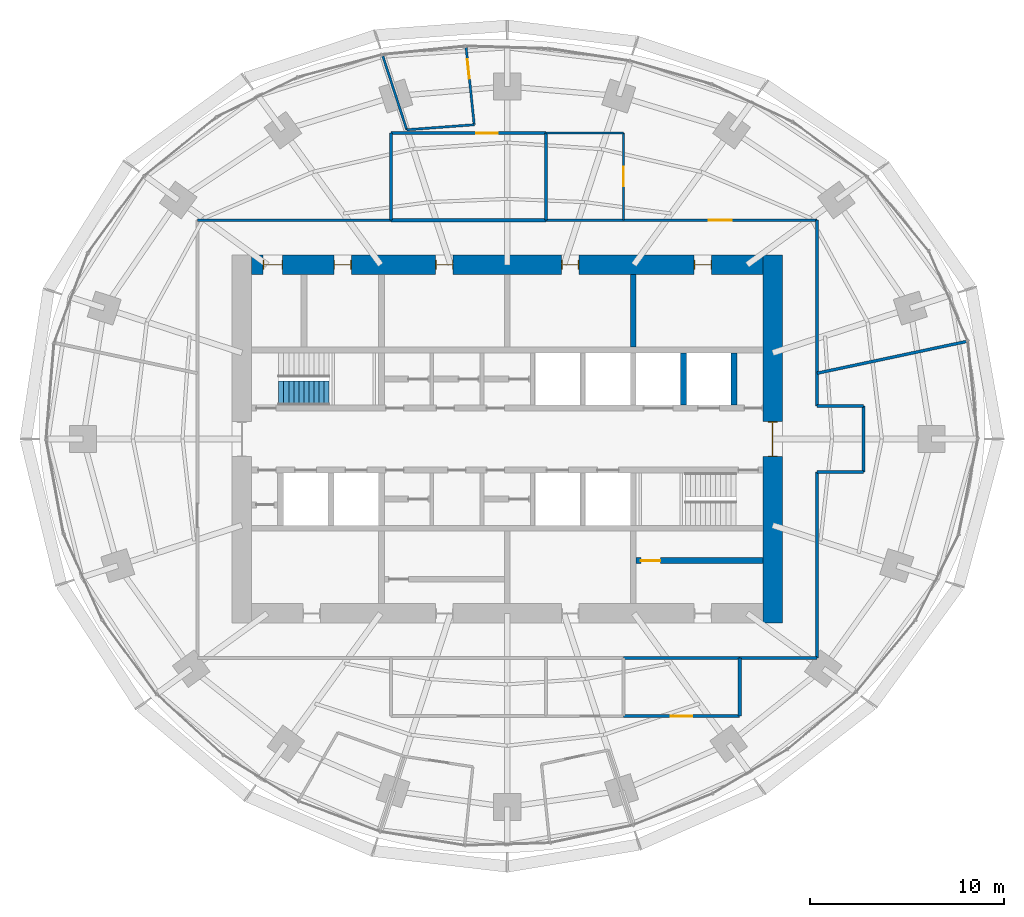
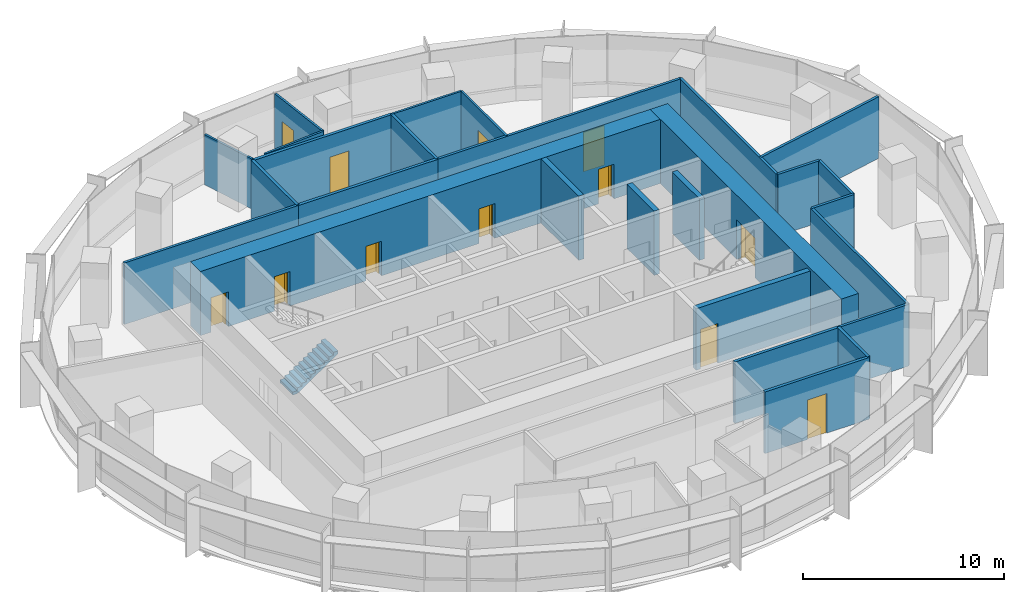
# One storey, part 12 of 15: 27 walls, 12 doors, 1 stair flight, 12 openings, 1 element without a shape of its own.
"""IFC4 building model written with IfcOpenShell, lengths in metres."""

from ifc_helpers import new_model, si_unit, direction, frame, frame_2d, origin, place, context, subcontext, project, spatial, polyline, rectangle, outline, extrude, material, layer, layer_set, type_object, element, fill, aggregate, save


model = new_model("IFC4")

# Units and contexts
model_context = context("Model", 3, precision=1e-05, world=origin(), true_north=direction((0.0, 1.0)))
body_context = subcontext(model_context, "Body", "Model", "MODEL_VIEW")
ifc_project = project(units=[si_unit("LENGTHUNIT", "METRE"), si_unit("AREAUNIT", "SQUARE_METRE"), si_unit("VOLUMEUNIT", "CUBIC_METRE"), si_unit("PLANEANGLEUNIT", "RADIAN"), si_unit("MASSUNIT", "GRAM", prefix="KILO")], contexts=[model_context])

# Site, building, storey
site_placement = place(None, origin())
site = spatial("IfcSite", under=ifc_project, at=site_placement, CompositionType="ELEMENT")
building_placement = place(site_placement, origin())
building = spatial("IfcBuilding", under=site, at=building_placement, Name="Marramba Exchange Tower", CompositionType="ELEMENT")
storey_placement = place(building_placement, frame((0.0, 0.0, 226.699951171875)))
storey = spatial("IfcBuildingStorey", under=building, at=storey_placement, Name="L55", CompositionType="ELEMENT", Elevation=226.699951171875)

# Wall, opening, door
ifc_material_1 = material(Name="Plasterboard on staggered double steel studs, acoustic insulation", Category="steel")
ifc_layer_1 = layer(ifc_material_1, 0.169921875)
ifc_layer_set_1 = layer_set([ifc_layer_1], Name="Acoustic partition 170")
wall_type_1 = type_object("IfcWallType", Name="Acoustic partition 170", PredefinedType="PARTITIONING", material=ifc_layer_set_1)
wall_1_placement = place(storey_placement, frame((6.0, -14.300048828125, 0.0), z_axis=(0.0, 0.0, 1.0), x_axis=(1.0, 0.0, 0.0)))
wall_1 = element("IfcWall", 1, at=wall_1_placement, inside=storey, type_object=wall_type_1, Name="Acoustic partition L55 17", PredefinedType="PARTITIONING", context=body_context, shape_type="SweptSolid", body=[
    extrude(rectangle(XDim=6.0, YDim=0.169921875, at=frame_2d((3.0, 0.0))), origin(), (0.0, 0.0, 1.0), 3.739990234375),
])
opening_1_placement = place(wall_1_placement, frame((2.449951171875, 0.0, 0.0)))
opening_1 = element("IfcOpeningElement", 2, at=opening_1_placement, cuts=wall_1, Name="Opening D15", PredefinedType="OPENING", context=body_context, shape_type="SweptSolid", body=[
    extrude(rectangle(XDim=1.10009765625, YDim=2.39990234375, at=frame_2d((0.550048828125, 1.199951171875))), frame((0.0, 0.094970703125, 0.0), z_axis=(0.0, -1.0, 0.0), x_axis=(1.0, 0.0, 0.0)), (0.0, 0.0, 1.0), 0.18994140625),
])
ifc_material_2 = material(Name="Timber door", Category="wood")
door_type_1 = type_object("IfcDoorType", Name="Glazed meeting room door 1100x2400", OperationType="SINGLE_SWING_LEFT", PredefinedType="DOOR", material=ifc_material_2)
door_1_placement = place(opening_1_placement, origin())
door_1 = element("IfcDoor", 3, at=door_1_placement, inside=storey, type_object=door_type_1, Name="D15 Meeting Room 3 L55", OperationType="SINGLE_SWING_RIGHT", OverallHeight=2.39990234375, OverallWidth=1.10009765625, PredefinedType="DOOR", context=body_context, shape_type="SweptSolid", body=[
    extrude(rectangle(XDim=1.10009765625, YDim=2.39990234375, at=frame_2d((0.550048828125, 1.199951171875))), frame((0.0, 0.02490234375, 0.0), z_axis=(0.0, -1.0, 0.0), x_axis=(1.0, 0.0, 0.0)), (0.0, 0.0, 1.0), 0.050048828125),
])
fill(opening_1, door_1)

# Walls
wall_2_placement = place(storey_placement, frame((12.0, -11.300048828125, 0.0), z_axis=(0.0, 0.0, 1.0), x_axis=(-1.0, 0.0, 0.0)))
element("IfcWall", 4, at=wall_2_placement, inside=storey, type_object=wall_type_1, Name="Acoustic partition L55 18", PredefinedType="PARTITIONING", context=body_context, shape_type="SweptSolid", body=[
    extrude(rectangle(XDim=6.0, YDim=0.169921875, at=frame_2d((3.0, 0.0))), origin(), (0.0, 0.0, 1.0), 3.739990234375),
])
wall_3_placement = place(storey_placement, frame((12.0, -14.300048828125, 0.0), z_axis=(0.0, 0.0, 1.0), x_axis=(0.0, 1.0, 0.0)))
element("IfcWall", 5, at=wall_3_placement, inside=storey, type_object=wall_type_1, Name="Acoustic partition L55 19", PredefinedType="PARTITIONING", context=body_context, shape_type="SweptSolid", body=[
    extrude(rectangle(XDim=3.0, YDim=0.169921875, at=frame_2d((1.5, 0.0))), origin(), (0.0, 0.0, 1.0), 3.739990234375),
])
wall_4_placement = place(storey_placement, frame((2.0, 15.800048828125, 0.0), z_axis=(0.0, 0.0, 1.0), x_axis=(0.0, -1.0, 0.0)))
element("IfcWall", 6, at=wall_4_placement, inside=storey, type_object=wall_type_1, Name="Acoustic partition L55 30", PredefinedType="PARTITIONING", context=body_context, shape_type="SweptSolid", body=[
    extrude(rectangle(XDim=4.5, YDim=0.169921875, at=frame_2d((2.25, 0.0))), origin(), (0.0, 0.0, 1.0), 3.739990234375),
])

# Wall, opening, door
wall_5_placement = place(storey_placement, frame((2.0, 15.800048828125, 0.0), z_axis=(0.0, 0.0, 1.0), x_axis=(-1.0, 0.0, 0.0)))
wall_5 = element("IfcWall", 7, at=wall_5_placement, inside=storey, type_object=wall_type_1, Name="Acoustic partition L55 32", PredefinedType="PARTITIONING", context=body_context, shape_type="SweptSolid", body=[
    extrude(rectangle(XDim=8.0, YDim=0.169921875, at=frame_2d((4.0, 0.0))), origin(), (0.0, 0.0, 1.0), 3.739990234375),
])
opening_2_placement = place(wall_5_placement, frame((2.5, 0.0, 0.0)))
opening_2 = element("IfcOpeningElement", 8, at=opening_2_placement, cuts=wall_5, Name="Opening D15", PredefinedType="OPENING", context=body_context, shape_type="SweptSolid", body=[
    extrude(rectangle(XDim=1.10009765625, YDim=2.39990234375, at=frame_2d((0.550048828125, 1.199951171875))), frame((0.0, 0.094970703125, 0.0), z_axis=(0.0, -1.0, 0.0), x_axis=(1.0, 0.0, 0.0)), (0.0, 0.0, 1.0), 0.18994140625),
])
door_2_placement = place(opening_2_placement, origin())
door_2 = element("IfcDoor", 9, at=door_2_placement, inside=storey, type_object=door_type_1, Name="D15 Meeting Room 1 L55", OperationType="SINGLE_SWING_LEFT", OverallHeight=2.39990234375, OverallWidth=1.10009765625, PredefinedType="DOOR", context=body_context, shape_type="SweptSolid", body=[
    extrude(rectangle(XDim=1.10009765625, YDim=2.39990234375, at=frame_2d((0.550048828125, 1.199951171875))), frame((0.0, 0.02490234375, 0.0), z_axis=(0.0, -1.0, 0.0), x_axis=(1.0, 0.0, 0.0)), (0.0, 0.0, 1.0), 0.050048828125),
])
fill(opening_2, door_2)

# Walls
wall_6_placement = place(storey_placement, frame((-6.0, 11.300048828125, 0.0), z_axis=(0.0, 0.0, 1.0), x_axis=(1.0, 0.0, 0.0)))
element("IfcWall", 10, at=wall_6_placement, inside=storey, type_object=wall_type_1, Name="Acoustic partition L55 33", PredefinedType="PARTITIONING", context=body_context, shape_type="SweptSolid", body=[
    extrude(rectangle(XDim=8.0, YDim=0.169921875, at=frame_2d((4.0, 0.0))), origin(), (0.0, 0.0, 1.0), 3.739990234375),
])
wall_7_placement = place(storey_placement, frame((-6.0, 15.800048828125, 0.0), z_axis=(0.0, 0.0, 1.0), x_axis=(0.0, -1.0, 0.0)))
element("IfcWall", 11, at=wall_7_placement, inside=storey, type_object=wall_type_1, Name="Acoustic partition L55 36", PredefinedType="PARTITIONING", context=body_context, shape_type="SweptSolid", body=[
    extrude(rectangle(XDim=4.5, YDim=0.169921875, at=frame_2d((2.25, 0.0))), origin(), (0.0, 0.0, 1.0), 3.739990234375),
])

# Wall, openings, doors
ifc_material_3 = material(Name="Concrete N50", Category="concrete")
ifc_layer_2 = layer(ifc_material_3, 1.0)
ifc_layer_set_2 = layer_set([ifc_layer_2], Name="Core wall 1000")
wall_type_2 = type_object("IfcWallType", Name="Core wall 1000", PredefinedType="SHEAR", material=ifc_layer_set_2)
wall_8_placement = place(storey_placement, frame((13.199951171875, 9.0, 0.0), z_axis=(0.0, 0.0, 1.0), x_axis=(-1.0, 0.0, 0.0)))
wall_8 = element("IfcWall", 12, at=wall_8_placement, inside=storey, type_object=wall_type_2, Name="Core wall N L55", PredefinedType="SHEAR", context=body_context, shape_type="SweptSolid", body=[
    extrude(rectangle(XDim=26.39990234375, YDim=1.0, at=frame_2d((13.199951171875, 0.0))), origin(), (0.0, 0.0, 1.0), 3.900146484375),
])
opening_3_placement = place(wall_8_placement, frame((2.64990234375, 0.0, 0.0)))
opening_3 = element("IfcOpeningElement", 13, at=opening_3_placement, cuts=wall_8, Name="Opening D5", PredefinedType="OPENING", context=body_context, shape_type="SweptSolid", body=[
    extrude(rectangle(XDim=0.89990234375, YDim=2.10009765625, at=frame_2d((0.449951171875, 1.050048828125))), frame((0.0, 0.510009765625, 0.0), z_axis=(0.0, -1.0, 0.0), x_axis=(1.0, 0.0, 0.0)), (0.0, 0.0, 1.0), 1.02001953125),
])
opening_4_placement = place(wall_8_placement, frame((9.5, 0.0, 0.0)))
opening_4 = element("IfcOpeningElement", 14, at=opening_4_placement, cuts=wall_8, Name="Opening D3", PredefinedType="OPENING", context=body_context, shape_type="SweptSolid", body=[
    extrude(rectangle(XDim=0.89990234375, YDim=2.10009765625, at=frame_2d((0.449951171875, 1.050048828125))), frame((0.0, 0.510009765625, 0.0), z_axis=(0.0, -1.0, 0.0), x_axis=(1.0, 0.0, 0.0)), (0.0, 0.0, 1.0), 1.02001953125),
])
opening_5_placement = place(wall_8_placement, frame((16.0, 0.0, 0.0)))
opening_5 = element("IfcOpeningElement", 15, at=opening_5_placement, cuts=wall_8, Name="Opening D3", PredefinedType="OPENING", context=body_context, shape_type="SweptSolid", body=[
    extrude(rectangle(XDim=0.89990234375, YDim=2.10009765625, at=frame_2d((0.449951171875, 1.050048828125))), frame((0.0, 0.510009765625, 0.0), z_axis=(0.0, -1.0, 0.0), x_axis=(1.0, 0.0, 0.0)), (0.0, 0.0, 1.0), 1.02001953125),
])
opening_6_placement = place(wall_8_placement, frame((21.25, 0.0, 0.0)))
opening_6 = element("IfcOpeningElement", 16, at=opening_6_placement, cuts=wall_8, Name="Opening D5", PredefinedType="OPENING", context=body_context, shape_type="SweptSolid", body=[
    extrude(rectangle(XDim=0.89990234375, YDim=2.10009765625, at=frame_2d((0.449951171875, 1.050048828125))), frame((0.0, 0.510009765625, 0.0), z_axis=(0.0, -1.0, 0.0), x_axis=(1.0, 0.0, 0.0)), (0.0, 0.0, 1.0), 1.02001953125),
])
opening_7_placement = place(wall_8_placement, frame((24.800048828125, 0.0, 0.0)))
opening_7 = element("IfcOpeningElement", 17, at=opening_7_placement, cuts=wall_8, Name="Opening D4", PredefinedType="OPENING", context=body_context, shape_type="SweptSolid", body=[
    extrude(rectangle(XDim=1.0, YDim=2.10009765625, at=frame_2d((0.5, 1.050048828125))), frame((0.0, 0.510009765625, 0.0), z_axis=(0.0, -1.0, 0.0), x_axis=(1.0, 0.0, 0.0)), (0.0, 0.0, 1.0), 1.02001953125),
])
ifc_material_4 = material(Name="Steel-framed door", Category="steel")
door_type_2 = type_object("IfcDoorType", Name="Accessible toilet door 1000x2100", OperationType="SINGLE_SWING_LEFT", PredefinedType="DOOR", material=ifc_material_4)
door_3_placement = place(opening_7_placement, origin())
door_3 = element("IfcDoor", 18, at=door_3_placement, inside=storey, type_object=door_type_2, Name="D4 awc L55", OperationType="SINGLE_SWING_RIGHT", OverallHeight=2.10009765625, OverallWidth=1.0, PredefinedType="DOOR", context=body_context, shape_type="SweptSolid", body=[
    extrude(rectangle(XDim=0.919921875, YDim=2.06005859375, at=frame_2d((0.5, 1.030029296875))), frame((0.0, 0.02490234375, 0.0), z_axis=(0.0, -1.0, 0.0), x_axis=(1.0, 0.0, 0.0)), (0.0, 0.0, 1.0), 0.050048828125),
    extrude(rectangle(XDim=0.04, YDim=2.10009765625, at=frame_2d((0.02001953125, 1.050048828125))), frame((0.0, 0.25, 0.0), z_axis=(0.0, -1.0, 0.0), x_axis=(1.0, 0.0, 0.0)), (0.0, 0.0, 1.0), 0.5),
    extrude(rectangle(XDim=0.04, YDim=2.10009765625, at=frame_2d((0.97998046875, 1.050048828125))), frame((0.0, 0.25, 0.0), z_axis=(0.0, -1.0, 0.0), x_axis=(1.0, 0.0, 0.0)), (0.0, 0.0, 1.0), 0.5),
    extrude(rectangle(XDim=0.919921875, YDim=0.04, at=frame_2d((0.5, 2.080078125))), frame((0.0, 0.25, 0.0), z_axis=(0.0, -1.0, 0.0), x_axis=(1.0, 0.0, 0.0)), (0.0, 0.0, 1.0), 0.5),
])
fill(opening_7, door_3)
door_type_3 = type_object("IfcDoorType", Name="Service door 900x2100", OperationType="SINGLE_SWING_LEFT", PredefinedType="DOOR", material=ifc_material_4)
door_4_placement = place(opening_3_placement, origin())
door_4 = element("IfcDoor", 19, at=door_4_placement, inside=storey, type_object=door_type_3, Name="D5 comms L55", OperationType="SINGLE_SWING_LEFT", OverallHeight=2.10009765625, OverallWidth=0.89990234375, PredefinedType="DOOR", context=body_context, shape_type="SweptSolid", body=[
    extrude(rectangle(XDim=0.81982421875, YDim=2.06005859375, at=frame_2d((0.449951171875, 1.030029296875))), frame((0.0, 0.02490234375, 0.0), z_axis=(0.0, -1.0, 0.0), x_axis=(1.0, 0.0, 0.0)), (0.0, 0.0, 1.0), 0.050048828125),
    extrude(rectangle(XDim=0.04, YDim=2.10009765625, at=frame_2d((0.02001953125, 1.050048828125))), frame((0.0, 0.25, 0.0), z_axis=(0.0, -1.0, 0.0), x_axis=(1.0, 0.0, 0.0)), (0.0, 0.0, 1.0), 0.5),
    extrude(rectangle(XDim=0.04, YDim=2.10009765625, at=frame_2d((0.8798828125, 1.050048828125))), frame((0.0, 0.25, 0.0), z_axis=(0.0, -1.0, 0.0), x_axis=(1.0, 0.0, 0.0)), (0.0, 0.0, 1.0), 0.5),
    extrude(rectangle(XDim=0.81982421875, YDim=0.04, at=frame_2d((0.449951171875, 2.080078125))), frame((0.0, 0.25, 0.0), z_axis=(0.0, -1.0, 0.0), x_axis=(1.0, 0.0, 0.0)), (0.0, 0.0, 1.0), 0.5),
])
fill(opening_3, door_4)
door_5_placement = place(opening_6_placement, origin())
door_5 = element("IfcDoor", 20, at=door_5_placement, inside=storey, type_object=door_type_3, Name="D5 cleaner L55", OperationType="SINGLE_SWING_RIGHT", OverallHeight=2.10009765625, OverallWidth=0.89990234375, PredefinedType="DOOR", context=body_context, shape_type="SweptSolid", body=[
    extrude(rectangle(XDim=0.81982421875, YDim=2.06005859375, at=frame_2d((0.449951171875, 1.030029296875))), frame((0.0, 0.02490234375, 0.0), z_axis=(0.0, -1.0, 0.0), x_axis=(1.0, 0.0, 0.0)), (0.0, 0.0, 1.0), 0.050048828125),
    extrude(rectangle(XDim=0.04, YDim=2.10009765625, at=frame_2d((0.02001953125, 1.050048828125))), frame((0.0, 0.25, 0.0), z_axis=(0.0, -1.0, 0.0), x_axis=(1.0, 0.0, 0.0)), (0.0, 0.0, 1.0), 0.5),
    extrude(rectangle(XDim=0.04, YDim=2.10009765625, at=frame_2d((0.8798828125, 1.050048828125))), frame((0.0, 0.25, 0.0), z_axis=(0.0, -1.0, 0.0), x_axis=(1.0, 0.0, 0.0)), (0.0, 0.0, 1.0), 0.5),
    extrude(rectangle(XDim=0.81982421875, YDim=0.04, at=frame_2d((0.449951171875, 2.080078125))), frame((0.0, 0.25, 0.0), z_axis=(0.0, -1.0, 0.0), x_axis=(1.0, 0.0, 0.0)), (0.0, 0.0, 1.0), 0.5),
])
fill(opening_6, door_5)
door_type_4 = type_object("IfcDoorType", Name="Toilet door 900x2100", OperationType="SINGLE_SWING_LEFT", PredefinedType="DOOR", material=ifc_material_4)
door_6_placement = place(opening_4_placement, origin())
door_6 = element("IfcDoor", 21, at=door_6_placement, inside=storey, type_object=door_type_4, Name="D3 wc-f L55", OperationType="SINGLE_SWING_RIGHT", OverallHeight=2.10009765625, OverallWidth=0.89990234375, PredefinedType="DOOR", context=body_context, shape_type="SweptSolid", body=[
    extrude(rectangle(XDim=0.81982421875, YDim=2.06005859375, at=frame_2d((0.449951171875, 1.030029296875))), frame((0.0, 0.02490234375, 0.0), z_axis=(0.0, -1.0, 0.0), x_axis=(1.0, 0.0, 0.0)), (0.0, 0.0, 1.0), 0.050048828125),
    extrude(rectangle(XDim=0.04, YDim=2.10009765625, at=frame_2d((0.02001953125, 1.050048828125))), frame((0.0, 0.25, 0.0), z_axis=(0.0, -1.0, 0.0), x_axis=(1.0, 0.0, 0.0)), (0.0, 0.0, 1.0), 0.5),
    extrude(rectangle(XDim=0.04, YDim=2.10009765625, at=frame_2d((0.8798828125, 1.050048828125))), frame((0.0, 0.25, 0.0), z_axis=(0.0, -1.0, 0.0), x_axis=(1.0, 0.0, 0.0)), (0.0, 0.0, 1.0), 0.5),
    extrude(rectangle(XDim=0.81982421875, YDim=0.04, at=frame_2d((0.449951171875, 2.080078125))), frame((0.0, 0.25, 0.0), z_axis=(0.0, -1.0, 0.0), x_axis=(1.0, 0.0, 0.0)), (0.0, 0.0, 1.0), 0.5),
])
fill(opening_4, door_6)
door_7_placement = place(opening_5_placement, origin())
door_7 = element("IfcDoor", 22, at=door_7_placement, inside=storey, type_object=door_type_4, Name="D3 wc-m L55", OperationType="SINGLE_SWING_RIGHT", OverallHeight=2.10009765625, OverallWidth=0.89990234375, PredefinedType="DOOR", context=body_context, shape_type="SweptSolid", body=[
    extrude(rectangle(XDim=0.81982421875, YDim=2.06005859375, at=frame_2d((0.449951171875, 1.030029296875))), frame((0.0, 0.02490234375, 0.0), z_axis=(0.0, -1.0, 0.0), x_axis=(1.0, 0.0, 0.0)), (0.0, 0.0, 1.0), 0.050048828125),
    extrude(rectangle(XDim=0.04, YDim=2.10009765625, at=frame_2d((0.02001953125, 1.050048828125))), frame((0.0, 0.25, 0.0), z_axis=(0.0, -1.0, 0.0), x_axis=(1.0, 0.0, 0.0)), (0.0, 0.0, 1.0), 0.5),
    extrude(rectangle(XDim=0.04, YDim=2.10009765625, at=frame_2d((0.8798828125, 1.050048828125))), frame((0.0, 0.25, 0.0), z_axis=(0.0, -1.0, 0.0), x_axis=(1.0, 0.0, 0.0)), (0.0, 0.0, 1.0), 0.5),
    extrude(rectangle(XDim=0.81982421875, YDim=0.04, at=frame_2d((0.449951171875, 2.080078125))), frame((0.0, 0.25, 0.0), z_axis=(0.0, -1.0, 0.0), x_axis=(1.0, 0.0, 0.0)), (0.0, 0.0, 1.0), 0.5),
])
fill(opening_5, door_7)

# Wall, opening, door
wall_9_placement = place(storey_placement, frame((13.699951171875, -9.5, 0.0), z_axis=(0.0, 0.0, 1.0), x_axis=(0.0, 1.0, 0.0)))
wall_9 = element("IfcWall", 23, at=wall_9_placement, inside=storey, type_object=wall_type_2, Name="Core wall E L55", PredefinedType="SHEAR", context=body_context, shape_type="SweptSolid", body=[
    extrude(rectangle(XDim=19.0, YDim=1.0, at=frame_2d((9.5, 0.0))), origin(), (0.0, 0.0, 1.0), 3.900146484375),
])
opening_8_placement = place(wall_9_placement, frame((8.60009765625, 0.0, 0.0)))
opening_8 = element("IfcOpeningElement", 24, at=opening_8_placement, cuts=wall_9, Name="Opening D1", PredefinedType="OPENING", context=body_context, shape_type="SweptSolid", body=[
    extrude(rectangle(XDim=1.800048828125, YDim=2.39990234375, at=frame_2d((0.89990234375, 1.199951171875))), frame((0.0, 0.510009765625, 0.0), z_axis=(0.0, -1.0, 0.0), x_axis=(1.0, 0.0, 0.0)), (0.0, 0.0, 1.0), 1.02001953125),
])
door_type_5 = type_object("IfcDoorType", Name="Lobby exit door 1800x2400", OperationType="DOUBLE_DOOR_SINGLE_SWING", PredefinedType="DOOR", material=ifc_material_4)
door_8_placement = place(opening_8_placement, origin())
door_8 = element("IfcDoor", 25, at=door_8_placement, inside=storey, type_object=door_type_5, Name="D1 lobby exit east L55", OperationType="DOUBLE_DOOR_SINGLE_SWING", OverallHeight=2.39990234375, OverallWidth=1.800048828125, PredefinedType="DOOR", context=body_context, shape_type="SweptSolid", body=[
    extrude(rectangle(XDim=1.719970703125, YDim=2.35986328125, at=frame_2d((0.89990234375, 1.179931640625))), frame((0.0, 0.02490234375, 0.0), z_axis=(0.0, -1.0, 0.0), x_axis=(1.0, 0.0, 0.0)), (0.0, 0.0, 1.0), 0.050048828125),
    extrude(rectangle(XDim=0.04, YDim=2.39990234375, at=frame_2d((0.02001953125, 1.199951171875))), frame((0.0, 0.25, 0.0), z_axis=(0.0, -1.0, 0.0), x_axis=(1.0, 0.0, 0.0)), (0.0, 0.0, 1.0), 0.5),
    extrude(rectangle(XDim=0.04, YDim=2.39990234375, at=frame_2d((1.780029296875, 1.199951171875))), frame((0.0, 0.25, 0.0), z_axis=(0.0, -1.0, 0.0), x_axis=(1.0, 0.0, 0.0)), (0.0, 0.0, 1.0), 0.5),
    extrude(rectangle(XDim=1.719970703125, YDim=0.04, at=frame_2d((0.89990234375, 2.3798828125))), frame((0.0, 0.25, 0.0), z_axis=(0.0, -1.0, 0.0), x_axis=(1.0, 0.0, 0.0)), (0.0, 0.0, 1.0), 0.5),
])
fill(opening_8, door_8)

# Walls
ifc_layer_3 = layer(ifc_material_3, 0.300048828125)
ifc_layer_set_3 = layer_set([ifc_layer_3], Name="Core wall 300")
wall_type_3 = type_object("IfcWallType", Name="Core wall 300", PredefinedType="SHEAR", material=ifc_layer_set_3)
wall_10_placement = place(storey_placement, frame((6.5, 4.75, 0.0), z_axis=(0.0, 0.0, 1.0), x_axis=(0.0, 1.0, 0.0)))
element("IfcWall", 26, at=wall_10_placement, inside=storey, type_object=wall_type_3, Name="Core wall X1Nb L55", PredefinedType="SHEAR", context=body_context, shape_type="SweptSolid", body=[
    extrude(rectangle(XDim=3.75, YDim=0.300048828125, at=frame_2d((1.875, 0.0))), origin(), (0.0, 0.0, 1.0), 3.900146484375),
])
wall_11_placement = place(storey_placement, frame((9.10009765625, 1.75, 0.0), z_axis=(0.0, 0.0, 1.0), x_axis=(0.0, 1.0, 0.0)))
element("IfcWall", 27, at=wall_11_placement, inside=storey, type_object=wall_type_3, Name="Core wall ED L55", PredefinedType="SHEAR", context=body_context, shape_type="SweptSolid", body=[
    extrude(rectangle(XDim=2.699951171875, YDim=0.300048828125, at=frame_2d((1.35009765625, 0.0))), origin(), (0.0, 0.0, 1.0), 3.900146484375),
])
ifc_material_5 = material(Name="Core-filled concrete blockwork", Category="masonry")
ifc_layer_4 = layer(ifc_material_5, 0.300048828125)
ifc_layer_set_4 = layer_set([ifc_layer_4], Name="Lift shaft wall 300")
wall_type_4 = type_object("IfcWallType", Name="Lift shaft wall 300", PredefinedType="SOLIDWALL", material=ifc_layer_set_4)
wall_12_placement = place(storey_placement, frame((11.699951171875, 1.75, 0.0), z_axis=(0.0, 0.0, 1.0), x_axis=(0.0, 1.0, 0.0)))
element("IfcWall", 28, at=wall_12_placement, inside=storey, type_object=wall_type_4, Name="Lift shaft wall E1 L55", PredefinedType="SOLIDWALL", context=body_context, shape_type="SweptSolid", body=[
    extrude(rectangle(XDim=2.699951171875, YDim=0.300048828125, at=frame_2d((1.35009765625, 0.0))), origin(), (0.0, 0.0, 1.0), 3.739990234375),
])

# Wall, opening, door
ifc_material_6 = material(Name="Plasterboard on steel studs", Category="steel")
ifc_layer_5 = layer(ifc_material_6, 0.1201171875)
ifc_layer_set_5 = layer_set([ifc_layer_5], Name="Partition 120")
wall_type_5 = type_object("IfcWallType", Name="Partition 120", PredefinedType="PARTITIONING", material=ifc_layer_set_5)
wall_13_placement = place(storey_placement, frame((6.0, 11.300048828125, 0.0), z_axis=(0.0, 0.0, 1.0), x_axis=(0.0, 1.0, 0.0)))
wall_13 = element("IfcWall", 29, at=wall_13_placement, inside=storey, type_object=wall_type_5, Name="Partition L55 28", PredefinedType="PARTITIONING", context=body_context, shape_type="SweptSolid", body=[
    extrude(rectangle(XDim=4.5, YDim=0.1201171875, at=frame_2d((2.25, 0.0))), origin(), (0.0, 0.0, 1.0), 3.739990234375),
])
opening_9_placement = place(wall_13_placement, frame((1.75, 0.0, 0.0)))
opening_9 = element("IfcOpeningElement", 30, at=opening_9_placement, cuts=wall_13, Name="Opening D9", PredefinedType="OPENING", context=body_context, shape_type="SweptSolid", body=[
    extrude(rectangle(XDim=1.0, YDim=2.39990234375, at=frame_2d((0.5, 1.199951171875))), frame((0.0, 0.070068359375, 0.0), z_axis=(0.0, -1.0, 0.0), x_axis=(1.0, 0.0, 0.0)), (0.0, 0.0, 1.0), 0.14013671875),
])
door_type_6 = type_object("IfcDoorType", Name="Room door 1000x2400", OperationType="SINGLE_SWING_LEFT", PredefinedType="DOOR", material=ifc_material_2)
door_9_placement = place(opening_9_placement, origin())
door_9 = element("IfcDoor", 31, at=door_9_placement, inside=storey, type_object=door_type_6, Name="D9 Pantry 1 L55", OperationType="SINGLE_SWING_RIGHT", OverallHeight=2.39990234375, OverallWidth=1.0, PredefinedType="DOOR", context=body_context, shape_type="SweptSolid", body=[
    extrude(rectangle(XDim=1.0, YDim=2.39990234375, at=frame_2d((0.5, 1.199951171875))), frame((0.0, 0.02490234375, 0.0), z_axis=(0.0, -1.0, 0.0), x_axis=(1.0, 0.0, 0.0)), (0.0, 0.0, 1.0), 0.050048828125),
])
fill(opening_9, door_9)

# Wall
wall_14_placement = place(storey_placement, frame((6.0, 15.800048828125, 0.0), z_axis=(0.0, 0.0, 1.0), x_axis=(-1.0, 0.0, 0.0)))
element("IfcWall", 32, at=wall_14_placement, inside=storey, type_object=wall_type_5, Name="Partition L55 29", PredefinedType="PARTITIONING", context=body_context, shape_type="SweptSolid", body=[
    extrude(rectangle(XDim=4.0, YDim=0.1201171875, at=frame_2d((2.0, 0.0))), origin(), (0.0, 0.0, 1.0), 3.739990234375),
])

# Wall, opening, door
wall_15_placement = place(storey_placement, frame((-1.705810546875, 16.22900390625, 0.0), z_axis=(0.0, 0.0, 1.0), x_axis=(-0.104494148666, 0.99452550138, 0.0)))
wall_15 = element("IfcWall", 33, at=wall_15_placement, inside=storey, type_object=wall_type_5, Name="Partition L55 31", PredefinedType="PARTITIONING", context=body_context, shape_type="SweptSolid", body=[
    extrude(rectangle(XDim=4.0, YDim=0.1201171875, at=frame_2d((2.0, 0.0))), origin(), (0.0, 0.0, 1.0), 3.739990234375),
])
opening_10_placement = place(wall_15_placement, frame((2.39990234375, 0.0, 0.0)))
opening_10 = element("IfcOpeningElement", 34, at=opening_10_placement, cuts=wall_15, Name="Opening D9", PredefinedType="OPENING", context=body_context, shape_type="SweptSolid", body=[
    extrude(rectangle(XDim=1.0, YDim=2.39990234375, at=frame_2d((0.5, 1.199951171875))), frame((0.0, 0.070068359375, 0.0), z_axis=(0.0, -1.0, 0.0), x_axis=(1.0, 0.0, 0.0)), (0.0, 0.0, 1.0), 0.14013671875),
])
door_10_placement = place(opening_10_placement, origin())
door_10 = element("IfcDoor", 35, at=door_10_placement, inside=storey, type_object=door_type_6, Name="D9 Office 1 L55", OperationType="SINGLE_SWING_RIGHT", OverallHeight=2.39990234375, OverallWidth=1.0, PredefinedType="DOOR", context=body_context, shape_type="SweptSolid", body=[
    extrude(rectangle(XDim=1.0, YDim=2.39990234375, at=frame_2d((0.5, 1.199951171875))), frame((0.0, 0.02490234375, 0.0), z_axis=(0.0, -1.0, 0.0), x_axis=(1.0, 0.0, 0.0)), (0.0, 0.0, 1.0), 0.050048828125),
])
fill(opening_10, door_10)

# Walls
wall_16_placement = place(storey_placement, frame((-5.1884765625, 15.96875, 0.0), z_axis=(0.0, 0.0, 1.0), x_axis=(0.997219476507, 0.074520572167, 0.0)))
element("IfcWall", 36, at=wall_16_placement, inside=storey, type_object=wall_type_5, Name="Partition L55 34", PredefinedType="PARTITIONING", context=body_context, shape_type="SweptSolid", body=[
    extrude(rectangle(XDim=3.492431640625, YDim=0.1201171875, at=frame_2d((1.74609375, 0.0))), origin(), (0.0, 0.0, 1.0), 3.739990234375),
])
wall_17_placement = place(storey_placement, frame((-6.424560546875, 19.77294921875, 0.0), z_axis=(0.0, 0.0, 1.0), x_axis=(0.309022586479, -0.951054699292, 0.0)))
element("IfcWall", 37, at=wall_17_placement, inside=storey, type_object=wall_type_5, Name="Partition L55 35", PredefinedType="PARTITIONING", context=body_context, shape_type="SweptSolid", body=[
    extrude(rectangle(XDim=4.0, YDim=0.1201171875, at=frame_2d((2.0, 0.0))), origin(), (0.0, 0.0, 1.0), 3.0400390625),
])

# Wall, opening, door
ifc_material_7 = material(Name="Plasterboard on steel studs, insulated, unrated", Category="steel")
ifc_layer_6 = layer(ifc_material_7, 0.300048828125)
ifc_layer_set_6 = layer_set([ifc_layer_6], Name="Store partition 300")
wall_type_6 = type_object("IfcWallType", Name="Store partition 300", PredefinedType="PARTITIONING", material=ifc_layer_set_6)
wall_18_placement = place(storey_placement, frame((6.64990234375, -6.27197265625, 0.0), z_axis=(0.0, 0.0, 1.0), x_axis=(1.0, 0.0, 0.0)))
wall_18 = element("IfcWall", 38, at=wall_18_placement, inside=storey, type_object=wall_type_6, Name="Store partition L55 cstore", PredefinedType="PARTITIONING", context=body_context, shape_type="SweptSolid", body=[
    extrude(rectangle(XDim=6.550048828125, YDim=0.300048828125, at=frame_2d((3.27490234375, 0.0))), origin(), (0.0, 0.0, 1.0), 3.739990234375),
])
opening_11_placement = place(wall_18_placement, frame((0.25, 0.0, 0.0)))
opening_11 = element("IfcOpeningElement", 39, at=opening_11_placement, cuts=wall_18, Name="Opening D9", PredefinedType="OPENING", context=body_context, shape_type="SweptSolid", body=[
    extrude(rectangle(XDim=1.0, YDim=2.39990234375, at=frame_2d((0.5, 1.199951171875))), frame((0.0, 0.159912109375, 0.0), z_axis=(0.0, -1.0, 0.0), x_axis=(1.0, 0.0, 0.0)), (0.0, 0.0, 1.0), 0.320068359375),
])
door_11_placement = place(opening_11_placement, origin())
door_11 = element("IfcDoor", 40, at=door_11_placement, inside=storey, type_object=door_type_6, Name="D9 general store L55", OperationType="SINGLE_SWING_LEFT", OverallHeight=2.39990234375, OverallWidth=1.0, PredefinedType="DOOR", context=body_context, shape_type="SweptSolid", body=[
    extrude(rectangle(XDim=1.0, YDim=2.39990234375, at=frame_2d((0.5, 1.199951171875))), frame((0.0, 0.02490234375, 0.0), z_axis=(0.0, -1.0, 0.0), x_axis=(1.0, 0.0, 0.0)), (0.0, 0.0, 1.0), 0.050048828125),
])
fill(opening_11, door_11)

# Walls
ifc_material_8 = material(Name="Fire-rated plasterboard on steel studs, acoustic insulation", Category="steel")
ifc_layer_7 = layer(ifc_material_8, 0.14990234375)
ifc_layer_set_7 = layer_set([ifc_layer_7], Name="Tenancy wall 150")
wall_type_7 = type_object("IfcWallType", Name="Tenancy wall 150", PredefinedType="PARTITIONING", material=ifc_layer_set_7)
wall_19_placement = place(storey_placement, frame((12.0, -11.300048828125, 0.0), z_axis=(0.0, 0.0, 1.0), x_axis=(1.0, 0.0, 0.0)))
element("IfcWall", 41, at=wall_19_placement, inside=storey, type_object=wall_type_7, Name="Tenancy wall L55 20", PredefinedType="PARTITIONING", context=body_context, shape_type="SweptSolid", body=[
    extrude(rectangle(XDim=4.0, YDim=0.14990234375, at=frame_2d((2.0, 0.0))), origin(), (0.0, 0.0, 1.0), 3.739990234375),
])
wall_20_placement = place(storey_placement, frame((16.0, -11.300048828125, 0.0), z_axis=(0.0, 0.0, 1.0), x_axis=(0.0, 1.0, 0.0)))
element("IfcWall", 42, at=wall_20_placement, inside=storey, type_object=wall_type_7, Name="Tenancy wall L55 21", PredefinedType="PARTITIONING", context=body_context, shape_type="SweptSolid", body=[
    extrude(rectangle(XDim=9.60009765625, YDim=0.14990234375, at=frame_2d((4.800048828125, 0.0))), origin(), (0.0, 0.0, 1.0), 3.739990234375),
])
wall_21_placement = place(storey_placement, frame((16.0, -1.699951171875, 0.0), z_axis=(0.0, 0.0, 1.0), x_axis=(1.0, 0.0, 0.0)))
element("IfcWall", 43, at=wall_21_placement, inside=storey, type_object=wall_type_7, Name="Tenancy wall L55 22", PredefinedType="PARTITIONING", context=body_context, shape_type="SweptSolid", body=[
    extrude(rectangle(XDim=2.39990234375, YDim=0.14990234375, at=frame_2d((1.199951171875, 0.0))), origin(), (0.0, 0.0, 1.0), 3.739990234375),
])
wall_22_placement = place(storey_placement, frame((18.39990234375, -1.699951171875, 0.0), z_axis=(0.0, 0.0, 1.0), x_axis=(0.0, 1.0, 0.0)))
element("IfcWall", 44, at=wall_22_placement, inside=storey, type_object=wall_type_7, Name="Tenancy wall L55 23", PredefinedType="PARTITIONING", context=body_context, shape_type="SweptSolid", body=[
    extrude(rectangle(XDim=3.39990234375, YDim=0.14990234375, at=frame_2d((1.699951171875, 0.0))), origin(), (0.0, 0.0, 1.0), 3.739990234375),
])
wall_23_placement = place(storey_placement, frame((18.39990234375, 1.699951171875, 0.0), z_axis=(0.0, 0.0, 1.0), x_axis=(-1.0, 0.0, 0.0)))
element("IfcWall", 45, at=wall_23_placement, inside=storey, type_object=wall_type_7, Name="Tenancy wall L55 24", PredefinedType="PARTITIONING", context=body_context, shape_type="SweptSolid", body=[
    extrude(rectangle(XDim=2.39990234375, YDim=0.14990234375, at=frame_2d((1.199951171875, 0.0))), origin(), (0.0, 0.0, 1.0), 3.739990234375),
])
wall_24_placement = place(storey_placement, frame((23.700439453125, 5.03759765625, 0.0), z_axis=(0.0, 0.0, 1.0), x_axis=(-0.97814915542, -0.20790437646, 0.0)))
element("IfcWall", 46, at=wall_24_placement, inside=storey, type_object=wall_type_7, Name="Tenancy wall L55 25", PredefinedType="PARTITIONING", context=body_context, shape_type="SweptSolid", body=[
    extrude(rectangle(XDim=7.87255859375, YDim=0.14990234375, at=frame_2d((3.936279296875, 0.0))), origin(), (0.0, 0.0, 1.0), 3.739990234375),
])
wall_25_placement = place(storey_placement, frame((16.0, 1.699951171875, 0.0), z_axis=(0.0, 0.0, 1.0), x_axis=(0.0, 1.0, 0.0)))
element("IfcWall", 47, at=wall_25_placement, inside=storey, type_object=wall_type_7, Name="Tenancy wall L55 26", PredefinedType="PARTITIONING", context=body_context, shape_type="SweptSolid", body=[
    extrude(rectangle(XDim=9.60009765625, YDim=0.14990234375, at=frame_2d((4.800048828125, 0.0))), origin(), (0.0, 0.0, 1.0), 3.739990234375),
])

# Wall, opening, door
wall_26_placement = place(storey_placement, frame((16.0, 11.300048828125, 0.0), z_axis=(0.0, 0.0, 1.0), x_axis=(-1.0, 0.0, 0.0)))
wall_26 = element("IfcWall", 48, at=wall_26_placement, inside=storey, type_object=wall_type_7, Name="Tenancy wall L55 27", PredefinedType="PARTITIONING", context=body_context, shape_type="SweptSolid", body=[
    extrude(rectangle(XDim=14.0, YDim=0.14990234375, at=frame_2d((7.0, 0.0))), origin(), (0.0, 0.0, 1.0), 3.739990234375),
])
opening_12_placement = place(wall_26_placement, frame((4.39990234375, 0.0, 0.0)))
opening_12 = element("IfcOpeningElement", 49, at=opening_12_placement, cuts=wall_26, Name="Opening D13", PredefinedType="OPENING", context=body_context, shape_type="SweptSolid", body=[
    extrude(rectangle(XDim=1.199951171875, YDim=2.39990234375, at=frame_2d((0.60009765625, 1.199951171875))), frame((0.0, 0.0849609375, 0.0), z_axis=(0.0, -1.0, 0.0), x_axis=(1.0, 0.0, 0.0)), (0.0, 0.0, 1.0), 0.169921875),
])
door_type_7 = type_object("IfcDoorType", Name="Tenancy entry door 1200x2400", OperationType="SINGLE_SWING_LEFT", PredefinedType="DOOR", material=ifc_material_4)
door_12_placement = place(opening_12_placement, origin())
door_12 = element("IfcDoor", 50, at=door_12_placement, inside=storey, type_object=door_type_7, Name="D13 Office 1 L55", OperationType="SINGLE_SWING_LEFT", OverallHeight=2.39990234375, OverallWidth=1.199951171875, PredefinedType="DOOR", context=body_context, shape_type="SweptSolid", body=[
    extrude(rectangle(XDim=1.199951171875, YDim=2.39990234375, at=frame_2d((0.60009765625, 1.199951171875))), frame((0.0, 0.02490234375, 0.0), z_axis=(0.0, -1.0, 0.0), x_axis=(1.0, 0.0, 0.0)), (0.0, 0.0, 1.0), 0.050048828125),
])
fill(opening_12, door_12)

# Wall
wall_27_placement = place(storey_placement, frame((-6.0, 11.300048828125, 0.0), z_axis=(0.0, 0.0, 1.0), x_axis=(-1.0, 0.0, 0.0)))
element("IfcWall", 51, at=wall_27_placement, inside=storey, type_object=wall_type_7, Name="Tenancy wall L55 37", PredefinedType="PARTITIONING", context=body_context, shape_type="SweptSolid", body=[
    extrude(rectangle(XDim=10.0, YDim=0.14990234375, at=frame_2d((5.0, 0.0))), origin(), (0.0, 0.0, 1.0), 3.739990234375),
])

# Stair, stair flight
ifc_material_9 = material(Name="Concrete N40 (40 MPa)", Category="concrete")
stair_type = type_object("IfcStairType", Name="Exit stair ST1 3900 x 1250", PredefinedType="HALF_TURN_STAIR", material=ifc_material_9)
stair_placement = place(storey_placement, origin())
stair = element("IfcStair", 52, at=stair_placement, inside=storey, type_object=stair_type, Name="Exit stair ST1 L55", PredefinedType="HALF_TURN_STAIR")
stair_flight_type = type_object("IfcStairFlightType", Name="ST1 stair flight 1773 riser 1250 wide", PredefinedType="STRAIGHT", material=ifc_material_9)
stair_flight_placement = place(storey_placement, frame((-11.800048828125, 2.375, 0.0), z_axis=(0.0, 0.0, 1.0), x_axis=(1.0, 0.0, 0.0)))
stair_flight = element("IfcStairFlight", 53, at=stair_flight_placement, type_object=stair_flight_type, Name="ST1 flight 1", NumberOfRisers=11, NumberOfTreads=10, PredefinedType="STRAIGHT", RiserHeight=0.177272727, TreadLength=0.26, context=body_context, shape_type="SweptSolid", body=[
    extrude(outline(polyline([(0.0, 0.0), (0.0, 0.17724609375), (0.260009765625, 0.17724609375), (0.260009765625, 0.3544921875), (0.52001953125, 0.3544921875), (0.52001953125, 0.53173828125), (0.780029296875, 0.53173828125), (0.780029296875, 0.708984375), (1.0400390625, 0.708984375), (1.0400390625, 0.886474609375), (1.300048828125, 0.886474609375), (1.300048828125, 1.063720703125), (1.56005859375, 1.063720703125), (1.56005859375, 1.240966796875), (1.820068359375, 1.240966796875), (1.820068359375, 1.418212890625), (2.080078125, 1.418212890625), (2.080078125, 1.595458984375), (2.340087890625, 1.595458984375), (2.340087890625, 1.772705078125), (2.60009765625, 1.772705078125), (2.60009765625, 1.949951171875), (2.60009765625, 1.59130859375), (0.26611328125, 0.0), (0.0, 0.0)])), frame((0.0, 0.625, 0.0), z_axis=(0.0, -1.0, 0.0), x_axis=(1.0, 0.0, 0.0)), (0.0, 0.0, 1.0), 1.25),
])
aggregate(stair, [stair_flight])

save(model, "model.ifc")
